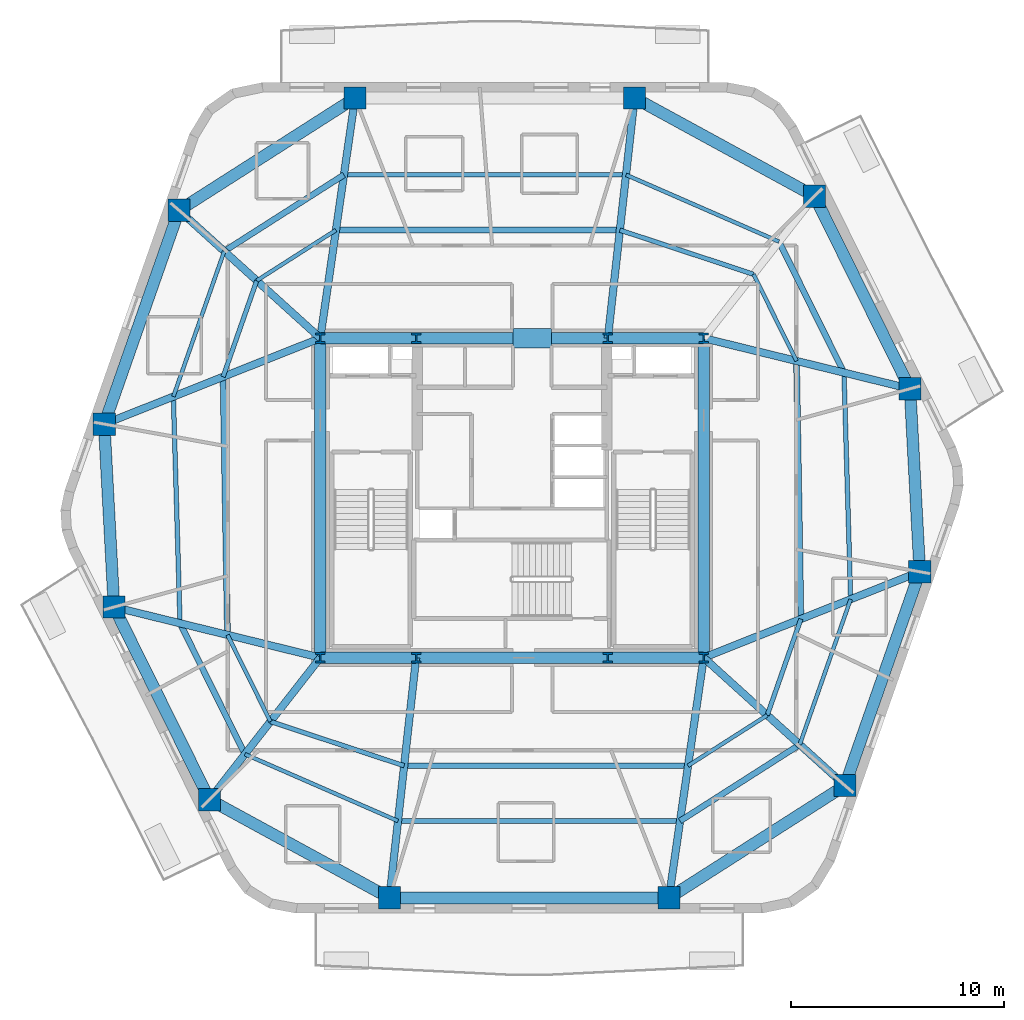
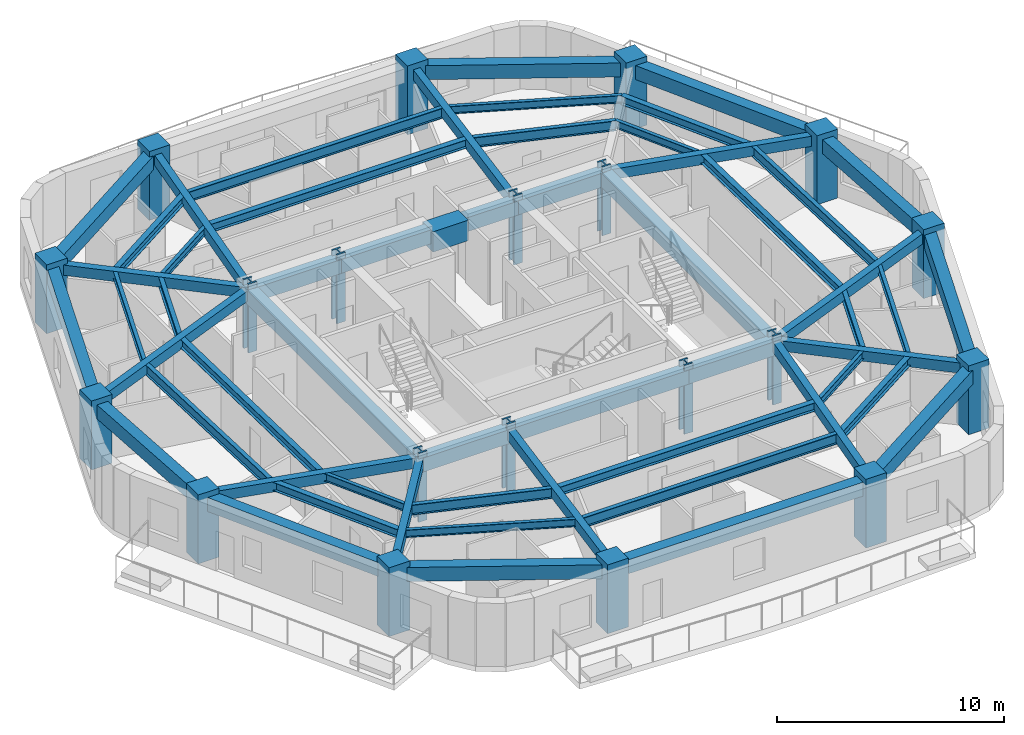
# One storey, part 1 of 10: 55 beams, 20 columns.
"""IFC4 building model written with IfcOpenShell, lengths in metres."""

from ifc_helpers import new_model, si_unit, direction, frame, origin, origin_2d, place, context, subcontext, project, spatial, rectangle, i_section, extrude, material, material_profile, profile_set, type_object, element, save


model = new_model("IFC4")

# Units and contexts
model_context = context("Model", 3, precision=1e-05, world=origin(), true_north=direction((0.0, 1.0)))
body_context = subcontext(model_context, "Body", "Model", "MODEL_VIEW")
ifc_project = project(units=[si_unit("LENGTHUNIT", "METRE"), si_unit("AREAUNIT", "SQUARE_METRE"), si_unit("VOLUMEUNIT", "CUBIC_METRE"), si_unit("PLANEANGLEUNIT", "RADIAN"), si_unit("MASSUNIT", "GRAM", prefix="KILO")], contexts=[model_context])

# Site, building, storey
site_placement = place(None, origin())
site = spatial("IfcSite", under=ifc_project, at=site_placement, CompositionType="ELEMENT")
building_placement = place(site_placement, origin())
building = spatial("IfcBuilding", under=site, at=building_placement, Name="Kilnhurst Terrace Hotel", CompositionType="ELEMENT")
storey_placement = place(building_placement, frame((0.0, 0.0, 151.699951171875)))
storey = spatial("IfcBuildingStorey", under=building, at=storey_placement, Name="L37", CompositionType="ELEMENT", Elevation=151.699951171875)

# Columns
ifc_material_1 = material(Name="Concrete C80/95", Category="concrete")
ifc_material_profile_1 = material_profile(ifc_material_1, rectangle(XDim=1.050048828125, YDim=1.050048828125, at=origin_2d()), Name="RC1050X1050")
ifc_profile_set_1 = profile_set([ifc_material_profile_1], Name="Concrete C80/95")
column_type_1 = type_object("IfcColumnType", Name="COL-RC-1050", PredefinedType="COLUMN", material=ifc_profile_set_1)
for number, where, z_axis, x_axis, name in (
    (1, (-5.7548828125, -18.780029296875, 0.0), (0.0, 0.0, 1.0), (1.0, 0.0, 0.0), "L37 Structural Column PC-F11"),
    (2, (7.368896484375, -18.780029296875, 0.0), (0.0, 0.0, 1.0), (1.0, 0.0, 0.0), "L37 Structural Column PC-F12"),
    (3, (15.633056640625, -13.5048828125, 0.0), (0.0, 0.0, 1.0), (1.0, 0.0, 0.0), "L37 Structural Column PC-F21"),
    (4, (19.14794921875, -3.467041015625, 0.0), (0.0, 0.0, 1.0), (1.0, 0.0, 0.0), "L37 Structural Column PC-F22"),
    (5, (18.68701171875, 5.1240234375, 0.0), (0.0, 0.0, 1.0), (1.0, 0.0, 0.0), "L37 Structural Column PC-F31"),
    (6, (14.2041015625, 14.166015625, 0.0), (0.0, 0.0, 1.0), (1.0, 0.0, 0.0), "L37 Structural Column PC-F32"),
    (7, (5.7548828125, 18.780029296875, 0.0), (0.0, 0.0, 1.0), (1.0, 0.0, 0.0), "L37 Structural Column PC-F41"),
    (8, (-7.368896484375, 18.780029296875, 0.0), (0.0, 0.0, 1.0), (1.0, 0.0, 0.0), "L37 Structural Column PC-F42"),
    (9, (-15.633056640625, 13.5048828125, 0.0), (0.0, 0.0, 1.0), (1.0, 0.0, 0.0), "L37 Structural Column PC-F51"),
    (10, (-19.14794921875, 3.467041015625, 0.0), (0.0, 0.0, 1.0), (1.0, 0.0, 0.0), "L37 Structural Column PC-F52"),
    (11, (-18.68701171875, -5.1240234375, 0.0), (0.0, 0.0, 1.0), (1.0, 0.0, 0.0), "L37 Structural Column PC-F61"),
    (12, (-14.2041015625, -14.166015625, 0.0), (0.0, 0.0, 1.0), (1.0, 0.0, 0.0), "L37 Structural Column PC-F62"),
):
    element("IfcColumn", number, at=place(storey_placement, frame(where, z_axis=z_axis, x_axis=x_axis)), inside=storey, type_object=column_type_1, Name=name, PredefinedType="COLUMN", context=body_context, shape_type="SweptSolid", body=[
        extrude(rectangle(XDim=1.050048828125, YDim=1.050048828125, at=origin_2d()), origin(), (0.0, 0.0, 1.0), 3.699951171875),
    ])
ifc_material_2 = material(Name="Steel ASTM A992 Grade 50", Category="steel")
ifc_material_profile_2 = material_profile(ifc_material_2, i_section(OverallWidth=0.43212890625, OverallDepth=0.497802734375, WebThickness=0.0556640625, FlangeThickness=0.0888671875, at=origin_2d()), Name="W14X500")
ifc_profile_set_2 = profile_set([ifc_material_profile_2], Name="Steel ASTM A992 Grade 50")
column_type_2 = type_object("IfcColumnType", Name="COL-STL-W14X500", PredefinedType="COLUMN", material=ifc_profile_set_2)
for number, where, z_axis, x_axis, name in (
    (13, (-9.0, -7.5, 0.0), (0.0, 0.0, 1.0), (1.0, 0.0, 0.0), "L37 Structural Column CC-SW"),
    (14, (-4.5, -7.5, 0.0), (0.0, 0.0, 1.0), (1.0, 0.0, 0.0), "L37 Structural Column CC-SC1"),
    (15, (4.5, -7.5, 0.0), (0.0, 0.0, 1.0), (1.0, 0.0, 0.0), "L37 Structural Column CC-SC2"),
    (16, (9.0, -7.5, 0.0), (0.0, 0.0, 1.0), (1.0, 0.0, 0.0), "L37 Structural Column CC-SE"),
    (17, (9.0, 7.5, 0.0), (0.0, 0.0, 1.0), (1.0, 0.0, 0.0), "L37 Structural Column CC-NE"),
    (18, (4.5, 7.5, 0.0), (0.0, 0.0, 1.0), (1.0, 0.0, 0.0), "L37 Structural Column CC-NC2"),
    (19, (-4.5, 7.5, 0.0), (0.0, 0.0, 1.0), (1.0, 0.0, 0.0), "L37 Structural Column CC-NC1"),
    (20, (-9.0, 7.5, 0.0), (0.0, 0.0, 1.0), (1.0, 0.0, 0.0), "L37 Structural Column CC-NW"),
):
    element("IfcColumn", number, at=place(storey_placement, frame(where, z_axis=z_axis, x_axis=x_axis)), inside=storey, type_object=column_type_2, Name=name, PredefinedType="COLUMN", context=body_context, shape_type="SweptSolid", body=[
        extrude(i_section(OverallWidth=0.43212890625, OverallDepth=0.497802734375, WebThickness=0.0556640625, FlangeThickness=0.0888671875, at=origin_2d()), origin(), (0.0, 0.0, 1.0), 3.699951171875),
    ])

# Beams
ifc_material_3 = material(Name="Concrete C50/60", Category="concrete")
ifc_material_profile_3 = material_profile(ifc_material_3, rectangle(XDim=0.35009765625, YDim=0.550048828125, at=origin_2d()), Name="RC350X550")
ifc_profile_set_3 = profile_set([ifc_material_profile_3], Name="Concrete C50/60")
beam_type_1 = type_object("IfcBeamType", Name="BM-RAD-350X550", PredefinedType="BEAM", material=ifc_profile_set_3)
beam_1_placement = place(storey_placement, frame((-4.5, -7.5, 3.125), z_axis=(-0.110566099441, -0.993868772854, 0.0), x_axis=(0.993868772854, -0.110566099441, 0.0)))
element("IfcBeam", 21, at=beam_1_placement, inside=storey, type_object=beam_type_1, Name="L37 Radial Floor Beam 1", PredefinedType="BEAM", context=body_context, shape_type="SweptSolid", body=[
    extrude(rectangle(XDim=0.35009765625, YDim=0.550048828125, at=origin_2d()), origin(), (0.0, 0.0, 1.0), 11.349609375),
])
beam_2_placement = place(storey_placement, frame((9.0, -7.5, 3.125), z_axis=(-0.143112538238, -0.989706421824, 0.0), x_axis=(0.989706421824, -0.143112538238, 0.0)))
element("IfcBeam", 22, at=beam_2_placement, inside=storey, type_object=beam_type_1, Name="L37 Radial Floor Beam 2", PredefinedType="BEAM", context=body_context, shape_type="SweptSolid", body=[
    extrude(rectangle(XDim=0.35009765625, YDim=0.550048828125, at=origin_2d()), origin(), (0.0, 0.0, 1.0), 11.3974609375),
])
beam_3_placement = place(storey_placement, frame((9.0, -7.5, 3.125), z_axis=(0.741338585645, -0.671131210296, 0.0), x_axis=(0.671131210296, 0.741338585645, 0.0)))
element("IfcBeam", 23, at=beam_3_placement, inside=storey, type_object=beam_type_1, Name="L37 Radial Floor Beam 3", PredefinedType="BEAM", context=body_context, shape_type="SweptSolid", body=[
    extrude(rectangle(XDim=0.35009765625, YDim=0.550048828125, at=origin_2d()), origin(), (0.0, 0.0, 1.0), 8.947509765625),
])
beam_4_placement = place(storey_placement, frame((9.0, -7.5, 3.125), z_axis=(0.929302373458, 0.369319778356, 0.0), x_axis=(-0.369319778356, 0.929302373458, 0.0)))
element("IfcBeam", 24, at=beam_4_placement, inside=storey, type_object=beam_type_1, Name="L37 Radial Floor Beam 4", PredefinedType="BEAM", context=body_context, shape_type="SweptSolid", body=[
    extrude(rectangle(XDim=0.35009765625, YDim=0.550048828125, at=origin_2d()), origin(), (0.0, 0.0, 1.0), 10.919921875),
])
beam_5_placement = place(storey_placement, frame((9.0, 7.5, 3.125), z_axis=(0.971212767405, -0.238213686486, 0.0), x_axis=(0.238213686486, 0.971212767405, 0.0)))
element("IfcBeam", 25, at=beam_5_placement, inside=storey, type_object=beam_type_1, Name="L37 Radial Floor Beam 5", PredefinedType="BEAM", context=body_context, shape_type="SweptSolid", body=[
    extrude(rectangle(XDim=0.35009765625, YDim=0.550048828125, at=origin_2d()), origin(), (0.0, 0.0, 1.0), 9.97412109375),
])
beam_6_placement = place(storey_placement, frame((4.5, 7.5, 3.125), z_axis=(0.110566099441, 0.993868772854, 0.0), x_axis=(-0.993868772854, 0.110566099441, 0.0)))
element("IfcBeam", 26, at=beam_6_placement, inside=storey, type_object=beam_type_1, Name="L37 Radial Floor Beam 7", PredefinedType="BEAM", context=body_context, shape_type="SweptSolid", body=[
    extrude(rectangle(XDim=0.35009765625, YDim=0.550048828125, at=origin_2d()), origin(), (0.0, 0.0, 1.0), 11.349609375),
])
beam_7_placement = place(storey_placement, frame((-9.0, 7.5, 3.125), z_axis=(0.143112538238, 0.989706421824, 0.0), x_axis=(-0.989706421824, 0.143112538238, 0.0)))
element("IfcBeam", 27, at=beam_7_placement, inside=storey, type_object=beam_type_1, Name="L37 Radial Floor Beam 8", PredefinedType="BEAM", context=body_context, shape_type="SweptSolid", body=[
    extrude(rectangle(XDim=0.35009765625, YDim=0.550048828125, at=origin_2d()), origin(), (0.0, 0.0, 1.0), 11.3974609375),
])
beam_8_placement = place(storey_placement, frame((-9.0, 7.5, 3.125), z_axis=(-0.741338585645, 0.671131210296, 0.0), x_axis=(-0.671131210296, -0.741338585645, 0.0)))
element("IfcBeam", 28, at=beam_8_placement, inside=storey, type_object=beam_type_1, Name="L37 Radial Floor Beam 9", PredefinedType="BEAM", context=body_context, shape_type="SweptSolid", body=[
    extrude(rectangle(XDim=0.35009765625, YDim=0.550048828125, at=origin_2d()), origin(), (0.0, 0.0, 1.0), 8.947509765625),
])
beam_9_placement = place(storey_placement, frame((-9.0, 7.5, 3.125), z_axis=(-0.929302373458, -0.369319778356, 0.0), x_axis=(0.369319778356, -0.929302373458, 0.0)))
element("IfcBeam", 29, at=beam_9_placement, inside=storey, type_object=beam_type_1, Name="L37 Radial Floor Beam 10", PredefinedType="BEAM", context=body_context, shape_type="SweptSolid", body=[
    extrude(rectangle(XDim=0.35009765625, YDim=0.550048828125, at=origin_2d()), origin(), (0.0, 0.0, 1.0), 10.919921875),
])
beam_10_placement = place(storey_placement, frame((-9.0, -7.5, 3.125), z_axis=(-0.971212767405, 0.238213686486, 0.0), x_axis=(-0.238213686486, -0.971212767405, 0.0)))
element("IfcBeam", 30, at=beam_10_placement, inside=storey, type_object=beam_type_1, Name="L37 Radial Floor Beam 11", PredefinedType="BEAM", context=body_context, shape_type="SweptSolid", body=[
    extrude(rectangle(XDim=0.35009765625, YDim=0.550048828125, at=origin_2d()), origin(), (0.0, 0.0, 1.0), 9.97412109375),
])
beam_11_placement = place(storey_placement, frame((-9.0, -7.5, 3.125), z_axis=(-0.615370616457, -0.78823791104, 0.0), x_axis=(0.78823791104, -0.615370616457, 0.0)))
element("IfcBeam", 31, at=beam_11_placement, inside=storey, type_object=beam_type_1, Name="L37 Radial Floor Beam 12", PredefinedType="BEAM", context=body_context, shape_type="SweptSolid", body=[
    extrude(rectangle(XDim=0.35009765625, YDim=0.550048828125, at=origin_2d()), origin(), (0.0, 0.0, 1.0), 8.456787109375),
])
ifc_material_profile_4 = material_profile(ifc_material_3, rectangle(XDim=0.550048828125, YDim=0.75, at=origin_2d()), Name="RC550X750")
ifc_profile_set_4 = profile_set([ifc_material_profile_4], Name="Concrete C50/60")
beam_type_2 = type_object("IfcBeamType", Name="BM-SPN-550X750", PredefinedType="SPANDREL", material=ifc_profile_set_4)
beam_12_placement = place(storey_placement, frame((-9.0, 7.5, 3.025146484375), z_axis=(1.0, 0.0, 0.0), x_axis=(0.0, 1.0, 0.0)))
element("IfcBeam", 32, at=beam_12_placement, inside=storey, type_object=beam_type_2, Name="L37 Core Tie Beam CC-NW to CC-NC1", PredefinedType="SPANDREL", context=body_context, shape_type="SweptSolid", body=[
    extrude(rectangle(XDim=0.550048828125, YDim=0.75, at=origin_2d()), origin(), (0.0, 0.0, 1.0), 4.5),
])
beam_13_placement = place(storey_placement, frame((-4.5, 7.5, 3.025146484375), z_axis=(1.0, 0.0, 0.0), x_axis=(0.0, 1.0, 0.0)))
element("IfcBeam", 33, at=beam_13_placement, inside=storey, type_object=beam_type_2, Name="L37 Core Tie Beam CC-NC1 to CC-NC2", PredefinedType="SPANDREL", context=body_context, shape_type="SweptSolid", body=[
    extrude(rectangle(XDim=0.550048828125, YDim=0.75, at=origin_2d()), origin(), (0.0, 0.0, 1.0), 9.0),
])
for number, where, z_axis, x_axis, name in (
    (34, (4.5, 7.5, 3.025146484375), (1.0, 0.0, 0.0), (0.0, 1.0, 0.0), "L37 Core Tie Beam CC-NC2 to CC-NE"),
    (35, (-9.0, -7.5, 3.025146484375), (1.0, 0.0, 0.0), (0.0, 1.0, 0.0), "L37 Core Tie Beam CC-SW to CC-SC1"),
):
    element("IfcBeam", number, at=place(storey_placement, frame(where, z_axis=z_axis, x_axis=x_axis)), inside=storey, type_object=beam_type_2, Name=name, PredefinedType="SPANDREL", context=body_context, shape_type="SweptSolid", body=[
        extrude(rectangle(XDim=0.550048828125, YDim=0.75, at=origin_2d()), origin(), (0.0, 0.0, 1.0), 4.5),
    ])
beam_14_placement = place(storey_placement, frame((-4.5, -7.5, 3.025146484375), z_axis=(1.0, 0.0, 0.0), x_axis=(0.0, 1.0, 0.0)))
element("IfcBeam", 36, at=beam_14_placement, inside=storey, type_object=beam_type_2, Name="L37 Core Tie Beam CC-SC1 to CC-SC2", PredefinedType="SPANDREL", context=body_context, shape_type="SweptSolid", body=[
    extrude(rectangle(XDim=0.550048828125, YDim=0.75, at=origin_2d()), origin(), (0.0, 0.0, 1.0), 9.0),
])
beam_15_placement = place(storey_placement, frame((4.5, -7.5, 3.025146484375), z_axis=(1.0, 0.0, 0.0), x_axis=(0.0, 1.0, 0.0)))
element("IfcBeam", 37, at=beam_15_placement, inside=storey, type_object=beam_type_2, Name="L37 Core Tie Beam CC-SC2 to CC-SE", PredefinedType="SPANDREL", context=body_context, shape_type="SweptSolid", body=[
    extrude(rectangle(XDim=0.550048828125, YDim=0.75, at=origin_2d()), origin(), (0.0, 0.0, 1.0), 4.5),
])
for number, where, z_axis, x_axis, name in (
    (38, (-9.0, -7.5, 3.025146484375), (0.0, 1.0, 0.0), (-1.0, 0.0, 0.0), "L37 Core Tie Beam CC-SW to CC-NW"),
    (39, (9.0, -7.5, 3.025146484375), (0.0, 1.0, 0.0), (-1.0, 0.0, 0.0), "L37 Core Tie Beam CC-SE to CC-NE"),
):
    element("IfcBeam", number, at=place(storey_placement, frame(where, z_axis=z_axis, x_axis=x_axis)), inside=storey, type_object=beam_type_2, Name=name, PredefinedType="SPANDREL", context=body_context, shape_type="SweptSolid", body=[
        extrude(rectangle(XDim=0.550048828125, YDim=0.75, at=origin_2d()), origin(), (0.0, 0.0, 1.0), 15.0),
    ])
beam_16_placement = place(storey_placement, frame((-5.7548828125, -18.780029296875, 3.025146484375), z_axis=(1.0, 0.0, 0.0), x_axis=(0.0, 1.0, 0.0)))
element("IfcBeam", 40, at=beam_16_placement, inside=storey, type_object=beam_type_2, Name="L37 Perimeter Spandrel Beam 1", PredefinedType="SPANDREL", context=body_context, shape_type="SweptSolid", body=[
    extrude(rectangle(XDim=0.550048828125, YDim=0.75, at=origin_2d()), origin(), (0.0, 0.0, 1.0), 13.123779296875),
])
beam_17_placement = place(storey_placement, frame((7.368896484375, -18.780029296875, 3.025146484375), z_axis=(0.842915241256, 0.538046369803, 0.0), x_axis=(-0.538046369803, 0.842915241256, 0.0)))
element("IfcBeam", 41, at=beam_17_placement, inside=storey, type_object=beam_type_2, Name="L37 Perimeter Spandrel Beam 2", PredefinedType="SPANDREL", context=body_context, shape_type="SweptSolid", body=[
    extrude(rectangle(XDim=0.550048828125, YDim=0.75, at=origin_2d()), origin(), (0.0, 0.0, 1.0), 9.80419921875),
])
beam_18_placement = place(storey_placement, frame((15.633056640625, -13.5048828125, 3.025146484375), z_axis=(0.330488460168, 0.943810032632, 0.0), x_axis=(-0.943810032632, 0.330488460168, 0.0)))
element("IfcBeam", 42, at=beam_18_placement, inside=storey, type_object=beam_type_2, Name="L37 Perimeter Spandrel Beam 3", PredefinedType="SPANDREL", context=body_context, shape_type="SweptSolid", body=[
    extrude(rectangle(XDim=0.550048828125, YDim=0.75, at=origin_2d()), origin(), (0.0, 0.0, 1.0), 10.635498046875),
])
beam_19_placement = place(storey_placement, frame((19.14794921875, -3.467041015625, 3.025146484375), z_axis=(-0.053576072051, 0.998563770875, 0.0), x_axis=(-0.998563770875, -0.053576072051, 0.0)))
element("IfcBeam", 43, at=beam_19_placement, inside=storey, type_object=beam_type_2, Name="L37 Perimeter Spandrel Beam 4", PredefinedType="SPANDREL", context=body_context, shape_type="SweptSolid", body=[
    extrude(rectangle(XDim=0.550048828125, YDim=0.75, at=origin_2d()), origin(), (0.0, 0.0, 1.0), 8.603515625),
])
beam_20_placement = place(storey_placement, frame((18.68701171875, 5.1240234375, 3.025146484375), z_axis=(-0.444192032261, 0.895931603682, 0.0), x_axis=(-0.895931603682, -0.444192032261, 0.0)))
element("IfcBeam", 44, at=beam_20_placement, inside=storey, type_object=beam_type_2, Name="L37 Perimeter Spandrel Beam 5", PredefinedType="SPANDREL", context=body_context, shape_type="SweptSolid", body=[
    extrude(rectangle(XDim=0.550048828125, YDim=0.75, at=origin_2d()), origin(), (0.0, 0.0, 1.0), 10.09228515625),
])
beam_21_placement = place(storey_placement, frame((14.2041015625, 14.166015625, 3.025146484375), z_axis=(-0.87766189723, 0.479280287672, 0.0), x_axis=(-0.479280287672, -0.87766189723, 0.0)))
element("IfcBeam", 45, at=beam_21_placement, inside=storey, type_object=beam_type_2, Name="L37 Perimeter Spandrel Beam 6", PredefinedType="SPANDREL", context=body_context, shape_type="SweptSolid", body=[
    extrude(rectangle(XDim=0.550048828125, YDim=0.75, at=origin_2d()), origin(), (0.0, 0.0, 1.0), 9.626953125),
])
beam_22_placement = place(storey_placement, frame((-7.368896484375, 18.780029296875, 3.025146484375), z_axis=(-0.842915241256, -0.538046369803, 0.0), x_axis=(0.538046369803, -0.842915241256, 0.0)))
element("IfcBeam", 46, at=beam_22_placement, inside=storey, type_object=beam_type_2, Name="L37 Perimeter Spandrel Beam 8", PredefinedType="SPANDREL", context=body_context, shape_type="SweptSolid", body=[
    extrude(rectangle(XDim=0.550048828125, YDim=0.75, at=origin_2d()), origin(), (0.0, 0.0, 1.0), 9.80419921875),
])
beam_23_placement = place(storey_placement, frame((-15.633056640625, 13.5048828125, 3.025146484375), z_axis=(-0.330488460168, -0.943810032632, 0.0), x_axis=(0.943810032632, -0.330488460168, 0.0)))
element("IfcBeam", 47, at=beam_23_placement, inside=storey, type_object=beam_type_2, Name="L37 Perimeter Spandrel Beam 9", PredefinedType="SPANDREL", context=body_context, shape_type="SweptSolid", body=[
    extrude(rectangle(XDim=0.550048828125, YDim=0.75, at=origin_2d()), origin(), (0.0, 0.0, 1.0), 10.635498046875),
])
beam_24_placement = place(storey_placement, frame((-19.14794921875, 3.467041015625, 3.025146484375), z_axis=(0.053576072051, -0.998563770875, 0.0), x_axis=(0.998563770875, 0.053576072051, 0.0)))
element("IfcBeam", 48, at=beam_24_placement, inside=storey, type_object=beam_type_2, Name="L37 Perimeter Spandrel Beam 10", PredefinedType="SPANDREL", context=body_context, shape_type="SweptSolid", body=[
    extrude(rectangle(XDim=0.550048828125, YDim=0.75, at=origin_2d()), origin(), (0.0, 0.0, 1.0), 8.603515625),
])
beam_25_placement = place(storey_placement, frame((-18.68701171875, -5.1240234375, 3.025146484375), z_axis=(0.444192032261, -0.895931603682, 0.0), x_axis=(0.895931603682, 0.444192032261, 0.0)))
element("IfcBeam", 49, at=beam_25_placement, inside=storey, type_object=beam_type_2, Name="L37 Perimeter Spandrel Beam 11", PredefinedType="SPANDREL", context=body_context, shape_type="SweptSolid", body=[
    extrude(rectangle(XDim=0.550048828125, YDim=0.75, at=origin_2d()), origin(), (0.0, 0.0, 1.0), 10.09228515625),
])
beam_26_placement = place(storey_placement, frame((-14.2041015625, -14.166015625, 3.025146484375), z_axis=(0.87766189723, -0.479280287672, 0.0), x_axis=(0.479280287672, 0.87766189723, 0.0)))
element("IfcBeam", 50, at=beam_26_placement, inside=storey, type_object=beam_type_2, Name="L37 Perimeter Spandrel Beam 12", PredefinedType="SPANDREL", context=body_context, shape_type="SweptSolid", body=[
    extrude(rectangle(XDim=0.550048828125, YDim=0.75, at=origin_2d()), origin(), (0.0, 0.0, 1.0), 9.626953125),
])
ifc_material_profile_5 = material_profile(ifc_material_2, i_section(OverallWidth=0.180908203125, OverallDepth=0.417236328125, WebThickness=0.010986328125, FlangeThickness=0.018310546875, at=origin_2d()), Name="W16X57")
ifc_profile_set_5 = profile_set([ifc_material_profile_5], Name="Steel ASTM A992 Grade 50")
beam_type_3 = type_object("IfcBeamType", Name="JST-STL-W16X57", PredefinedType="JOIST", material=ifc_profile_set_5)
beam_27_placement = place(storey_placement, frame((13.510498046875, -11.58349609375, 3.191162109375), z_axis=(0.330481239411, 0.943812561051, 0.0), x_axis=(-0.943812561051, 0.330481239411, 0.0)))
element("IfcBeam", 51, at=beam_27_placement, inside=storey, type_object=beam_type_3, Name="L37 Secondary Floor Steel Joist OUT.3", PredefinedType="JOIST", context=body_context, shape_type="SweptSolid", body=[
    extrude(i_section(OverallWidth=0.180908203125, OverallDepth=0.417236328125, WebThickness=0.010986328125, FlangeThickness=0.018310546875, at=origin_2d()), origin(), (0.0, 0.0, 1.0), 7.232177734375),
])
beam_28_placement = place(storey_placement, frame((12.538818359375, 12.032958984375, 3.191162109375), z_axis=(-0.916443679054, 0.400163695407, 0.0), x_axis=(-0.400163695407, -0.916443679054, 0.0)))
element("IfcBeam", 52, at=beam_28_placement, inside=storey, type_object=beam_type_3, Name="L37 Secondary Floor Steel Joist OUT.6", PredefinedType="JOIST", context=body_context, shape_type="SweptSolid", body=[
    extrude(i_section(OverallWidth=0.180908203125, OverallDepth=0.417236328125, WebThickness=0.010986328125, FlangeThickness=0.018310546875, at=origin_2d()), origin(), (0.0, 0.0, 1.0), 7.84033203125),
])
beam_29_placement = place(storey_placement, frame((-13.510498046875, 11.58349609375, 3.191162109375), z_axis=(-0.330481239411, -0.943812561051, 0.0), x_axis=(0.943812561051, -0.330481239411, 0.0)))
element("IfcBeam", 53, at=beam_29_placement, inside=storey, type_object=beam_type_3, Name="L37 Secondary Floor Steel Joist OUT.9", PredefinedType="JOIST", context=body_context, shape_type="SweptSolid", body=[
    extrude(i_section(OverallWidth=0.180908203125, OverallDepth=0.417236328125, WebThickness=0.010986328125, FlangeThickness=0.018310546875, at=origin_2d()), origin(), (0.0, 0.0, 1.0), 7.232177734375),
])
beam_30_placement = place(storey_placement, frame((-12.538818359375, -12.032958984375, 3.191162109375), z_axis=(0.916443679054, -0.400163695407, 0.0), x_axis=(0.400163695407, 0.916443679054, 0.0)))
element("IfcBeam", 54, at=beam_30_placement, inside=storey, type_object=beam_type_3, Name="L37 Secondary Floor Steel Joist OUT.12", PredefinedType="JOIST", context=body_context, shape_type="SweptSolid", body=[
    extrude(i_section(OverallWidth=0.180908203125, OverallDepth=0.417236328125, WebThickness=0.010986328125, FlangeThickness=0.018310546875, at=origin_2d()), origin(), (0.0, 0.0, 1.0), 7.84033203125),
])
beam_31_placement = place(storey_placement, frame((8.26611328125, -12.575927734375, 3.191162109375), z_axis=(0.842910995806, 0.53805302076, 0.0), x_axis=(-0.53805302076, 0.842910995806, 0.0)))
element("IfcBeam", 55, at=beam_31_placement, inside=storey, type_object=beam_type_3, Name="L37 Secondary Floor Steel Joist IN.2", PredefinedType="JOIST", context=body_context, shape_type="SweptSolid", body=[
    extrude(i_section(OverallWidth=0.180908203125, OverallDepth=0.417236328125, WebThickness=0.010986328125, FlangeThickness=0.018310546875, at=origin_2d()), origin(), (0.0, 0.0, 1.0), 4.411865234375),
])
beam_32_placement = place(storey_placement, frame((13.359130859375, 6.430908203125, 3.191162109375), z_axis=(-0.444200626094, 0.895927342912, 0.0), x_axis=(-0.895927342912, -0.444200626094, 0.0)))
element("IfcBeam", 56, at=beam_32_placement, inside=storey, type_object=beam_type_3, Name="L37 Secondary Floor Steel Joist IN.5", PredefinedType="JOIST", context=body_context, shape_type="SweptSolid", body=[
    extrude(i_section(OverallWidth=0.180908203125, OverallDepth=0.417236328125, WebThickness=0.010986328125, FlangeThickness=0.018310546875, at=origin_2d()), origin(), (0.0, 0.0, 1.0), 4.54150390625),
])
beam_33_placement = place(storey_placement, frame((-8.26611328125, 12.575927734375, 3.191162109375), z_axis=(-0.842910995806, -0.53805302076, 0.0), x_axis=(0.53805302076, -0.842910995806, 0.0)))
element("IfcBeam", 57, at=beam_33_placement, inside=storey, type_object=beam_type_3, Name="L37 Secondary Floor Steel Joist IN.8", PredefinedType="JOIST", context=body_context, shape_type="SweptSolid", body=[
    extrude(i_section(OverallWidth=0.180908203125, OverallDepth=0.417236328125, WebThickness=0.010986328125, FlangeThickness=0.018310546875, at=origin_2d()), origin(), (0.0, 0.0, 1.0), 4.411865234375),
])
beam_34_placement = place(storey_placement, frame((-13.359130859375, -6.430908203125, 3.191162109375), z_axis=(0.444200626094, -0.895927342912, 0.0), x_axis=(0.895927342912, 0.444200626094, 0.0)))
element("IfcBeam", 58, at=beam_34_placement, inside=storey, type_object=beam_type_3, Name="L37 Secondary Floor Steel Joist IN.11", PredefinedType="JOIST", context=body_context, shape_type="SweptSolid", body=[
    extrude(i_section(OverallWidth=0.180908203125, OverallDepth=0.417236328125, WebThickness=0.010986328125, FlangeThickness=0.018310546875, at=origin_2d()), origin(), (0.0, 0.0, 1.0), 4.54150390625),
])
ifc_material_profile_6 = material_profile(ifc_material_2, i_section(OverallWidth=0.279296875, OverallDepth=0.462890625, WebThickness=0.0107421875, FlangeThickness=0.017333984375, at=origin_2d()), Name="W18X76")
ifc_profile_set_6 = profile_set([ifc_material_profile_6], Name="Steel ASTM A992 Grade 50")
beam_type_4 = type_object("IfcBeamType", Name="JST-STL-W18X76", PredefinedType="JOIST", material=ifc_profile_set_6)
beam_35_placement = place(storey_placement, frame((7.890869140625, -15.17041015625, 3.16796875), z_axis=(0.842927863369, 0.538026595213, 0.0), x_axis=(-0.538026595213, 0.842927863369, 0.0)))
element("IfcBeam", 59, at=beam_35_placement, inside=storey, type_object=beam_type_4, Name="L37 Secondary Floor Steel Joist OUT.2", PredefinedType="JOIST", context=body_context, shape_type="SweptSolid", body=[
    extrude(i_section(OverallWidth=0.279296875, OverallDepth=0.462890625, WebThickness=0.0107421875, FlangeThickness=0.017333984375, at=origin_2d()), origin(), (0.0, 0.0, 1.0), 6.666748046875),
])
beam_36_placement = place(storey_placement, frame((15.587158203125, 5.88427734375, 3.16796875), z_axis=(-0.444180101574, 0.895937518673, 0.0), x_axis=(-0.895937518673, -0.444180101574, 0.0)))
element("IfcBeam", 60, at=beam_36_placement, inside=storey, type_object=beam_type_4, Name="L37 Secondary Floor Steel Joist OUT.5", PredefinedType="JOIST", context=body_context, shape_type="SweptSolid", body=[
    extrude(i_section(OverallWidth=0.279296875, OverallDepth=0.462890625, WebThickness=0.0107421875, FlangeThickness=0.017333984375, at=origin_2d()), origin(), (0.0, 0.0, 1.0), 6.86279296875),
])
beam_37_placement = place(storey_placement, frame((-7.890869140625, 15.17041015625, 3.16796875), z_axis=(-0.842927863369, -0.538026595213, 0.0), x_axis=(0.538026595213, -0.842927863369, 0.0)))
element("IfcBeam", 61, at=beam_37_placement, inside=storey, type_object=beam_type_4, Name="L37 Secondary Floor Steel Joist OUT.8", PredefinedType="JOIST", context=body_context, shape_type="SweptSolid", body=[
    extrude(i_section(OverallWidth=0.279296875, OverallDepth=0.462890625, WebThickness=0.0107421875, FlangeThickness=0.017333984375, at=origin_2d()), origin(), (0.0, 0.0, 1.0), 6.666748046875),
])
beam_38_placement = place(storey_placement, frame((-15.587158203125, -5.88427734375, 3.16796875), z_axis=(0.444180101574, -0.895937518673, 0.0), x_axis=(0.895937518673, 0.444180101574, 0.0)))
element("IfcBeam", 62, at=beam_38_placement, inside=storey, type_object=beam_type_4, Name="L37 Secondary Floor Steel Joist OUT.11", PredefinedType="JOIST", context=body_context, shape_type="SweptSolid", body=[
    extrude(i_section(OverallWidth=0.279296875, OverallDepth=0.462890625, WebThickness=0.0107421875, FlangeThickness=0.017333984375, at=origin_2d()), origin(), (0.0, 0.0, 1.0), 6.86279296875),
])
beam_39_placement = place(storey_placement, frame((-5.064697265625, -12.575927734375, 3.16796875), z_axis=(1.0, 0.0, 0.0), x_axis=(0.0, 1.0, 0.0)))
element("IfcBeam", 63, at=beam_39_placement, inside=storey, type_object=beam_type_4, Name="L37 Secondary Floor Steel Joist IN.1", PredefinedType="JOIST", context=body_context, shape_type="SweptSolid", body=[
    extrude(i_section(OverallWidth=0.279296875, OverallDepth=0.462890625, WebThickness=0.0107421875, FlangeThickness=0.017333984375, at=origin_2d()), origin(), (0.0, 0.0, 1.0), 13.330810546875),
])
beam_40_placement = place(storey_placement, frame((13.566650390625, -5.685302734375, 3.16796875), z_axis=(-0.017124916462, 0.999853357866, 0.0), x_axis=(-0.999853357866, -0.017124916462, 0.0)))
element("IfcBeam", 64, at=beam_40_placement, inside=storey, type_object=beam_type_4, Name="L37 Secondary Floor Steel Joist IN.4", PredefinedType="JOIST", context=body_context, shape_type="SweptSolid", body=[
    extrude(i_section(OverallWidth=0.279296875, OverallDepth=0.462890625, WebThickness=0.0107421875, FlangeThickness=0.017333984375, at=origin_2d()), origin(), (0.0, 0.0, 1.0), 12.117919921875),
])
beam_41_placement = place(storey_placement, frame((5.064697265625, 12.575927734375, 3.16796875), z_axis=(-1.0, 0.0, 0.0), x_axis=(0.0, -1.0, 0.0)))
element("IfcBeam", 65, at=beam_41_placement, inside=storey, type_object=beam_type_4, Name="L37 Secondary Floor Steel Joist IN.7", PredefinedType="JOIST", context=body_context, shape_type="SweptSolid", body=[
    extrude(i_section(OverallWidth=0.279296875, OverallDepth=0.462890625, WebThickness=0.0107421875, FlangeThickness=0.017333984375, at=origin_2d()), origin(), (0.0, 0.0, 1.0), 13.330810546875),
])
beam_42_placement = place(storey_placement, frame((-13.566650390625, 5.685302734375, 3.16796875), z_axis=(0.017124916462, -0.999853357866, 0.0), x_axis=(0.999853357866, 0.017124916462, 0.0)))
element("IfcBeam", 66, at=beam_42_placement, inside=storey, type_object=beam_type_4, Name="L37 Secondary Floor Steel Joist IN.10", PredefinedType="JOIST", context=body_context, shape_type="SweptSolid", body=[
    extrude(i_section(OverallWidth=0.279296875, OverallDepth=0.462890625, WebThickness=0.0107421875, FlangeThickness=0.017333984375, at=origin_2d()), origin(), (0.0, 0.0, 1.0), 12.117919921875),
])
ifc_material_profile_7 = material_profile(ifc_material_2, i_section(OverallWidth=0.2138671875, OverallDepth=0.549072265625, WebThickness=0.0146484375, FlangeThickness=0.023681640625, at=origin_2d()), Name="W21X93")
ifc_profile_set_7 = profile_set([ifc_material_profile_7], Name="Steel ASTM A992 Grade 50")
beam_type_5 = type_object("IfcBeamType", Name="JST-STL-W21X93", PredefinedType="JOIST", material=ifc_profile_set_7)
beam_43_placement = place(storey_placement, frame((-5.353515625, -15.17041015625, 3.125), z_axis=(1.0, 0.0, 0.0), x_axis=(0.0, 1.0, 0.0)))
element("IfcBeam", 67, at=beam_43_placement, inside=storey, type_object=beam_type_5, Name="L37 Secondary Floor Steel Joist OUT.1", PredefinedType="JOIST", context=body_context, shape_type="SweptSolid", body=[
    extrude(i_section(OverallWidth=0.2138671875, OverallDepth=0.549072265625, WebThickness=0.0146484375, FlangeThickness=0.023681640625, at=origin_2d()), origin(), (0.0, 0.0, 1.0), 13.244384765625),
])
beam_44_placement = place(storey_placement, frame((15.900634765625, -4.757568359375, 3.125), z_axis=(-0.029444201298, 0.999566425512, 0.0), x_axis=(-0.999566425512, -0.029444201298, 0.0)))
element("IfcBeam", 68, at=beam_44_placement, inside=storey, type_object=beam_type_5, Name="L37 Secondary Floor Steel Joist OUT.4", PredefinedType="JOIST", context=body_context, shape_type="SweptSolid", body=[
    extrude(i_section(OverallWidth=0.2138671875, OverallDepth=0.549072265625, WebThickness=0.0146484375, FlangeThickness=0.023681640625, at=origin_2d()), origin(), (0.0, 0.0, 1.0), 10.646484375),
])
beam_45_placement = place(storey_placement, frame((5.353515625, 15.17041015625, 3.125), z_axis=(-1.0, 0.0, 0.0), x_axis=(0.0, -1.0, 0.0)))
element("IfcBeam", 69, at=beam_45_placement, inside=storey, type_object=beam_type_5, Name="L37 Secondary Floor Steel Joist OUT.7", PredefinedType="JOIST", context=body_context, shape_type="SweptSolid", body=[
    extrude(i_section(OverallWidth=0.2138671875, OverallDepth=0.549072265625, WebThickness=0.0146484375, FlangeThickness=0.023681640625, at=origin_2d()), origin(), (0.0, 0.0, 1.0), 13.244384765625),
])
beam_46_placement = place(storey_placement, frame((-15.900634765625, 4.757568359375, 3.125), z_axis=(0.029444201298, -0.999566425512, 0.0), x_axis=(0.999566425512, 0.029444201298, 0.0)))
element("IfcBeam", 70, at=beam_46_placement, inside=storey, type_object=beam_type_5, Name="L37 Secondary Floor Steel Joist OUT.10", PredefinedType="JOIST", context=body_context, shape_type="SweptSolid", body=[
    extrude(i_section(OverallWidth=0.2138671875, OverallDepth=0.549072265625, WebThickness=0.0146484375, FlangeThickness=0.023681640625, at=origin_2d()), origin(), (0.0, 0.0, 1.0), 10.646484375),
])
beam_47_placement = place(storey_placement, frame((11.98486328125, -10.2021484375, 3.125), z_axis=(0.330516298629, 0.943800284139, 0.0), x_axis=(-0.943800284139, 0.330516298629, 0.0)))
element("IfcBeam", 71, at=beam_47_placement, inside=storey, type_object=beam_type_5, Name="L37 Secondary Floor Steel Joist IN.3", PredefinedType="JOIST", context=body_context, shape_type="SweptSolid", body=[
    extrude(i_section(OverallWidth=0.2138671875, OverallDepth=0.549072265625, WebThickness=0.0146484375, FlangeThickness=0.023681640625, at=origin_2d()), origin(), (0.0, 0.0, 1.0), 4.785888671875),
])
beam_48_placement = place(storey_placement, frame((11.341796875, 10.499755859375, 3.125), z_axis=(-0.949415572736, 0.314022404051, 0.0), x_axis=(-0.314022404051, -0.949415572736, 0.0)))
element("IfcBeam", 72, at=beam_48_placement, inside=storey, type_object=beam_type_5, Name="L37 Secondary Floor Steel Joist IN.6", PredefinedType="JOIST", context=body_context, shape_type="SweptSolid", body=[
    extrude(i_section(OverallWidth=0.2138671875, OverallDepth=0.549072265625, WebThickness=0.0146484375, FlangeThickness=0.023681640625, at=origin_2d()), origin(), (0.0, 0.0, 1.0), 6.611572265625),
])
beam_49_placement = place(storey_placement, frame((-11.98486328125, 10.2021484375, 3.125), z_axis=(-0.330516298629, -0.943800284139, 0.0), x_axis=(0.943800284139, -0.330516298629, 0.0)))
element("IfcBeam", 73, at=beam_49_placement, inside=storey, type_object=beam_type_5, Name="L37 Secondary Floor Steel Joist IN.9", PredefinedType="JOIST", context=body_context, shape_type="SweptSolid", body=[
    extrude(i_section(OverallWidth=0.2138671875, OverallDepth=0.549072265625, WebThickness=0.0146484375, FlangeThickness=0.023681640625, at=origin_2d()), origin(), (0.0, 0.0, 1.0), 4.785888671875),
])
beam_50_placement = place(storey_placement, frame((-11.341796875, -10.499755859375, 3.125), z_axis=(0.949415572736, -0.314022404051, 0.0), x_axis=(0.314022404051, 0.949415572736, 0.0)))
element("IfcBeam", 74, at=beam_50_placement, inside=storey, type_object=beam_type_5, Name="L37 Secondary Floor Steel Joist IN.12", PredefinedType="JOIST", context=body_context, shape_type="SweptSolid", body=[
    extrude(i_section(OverallWidth=0.2138671875, OverallDepth=0.549072265625, WebThickness=0.0146484375, FlangeThickness=0.023681640625, at=origin_2d()), origin(), (0.0, 0.0, 1.0), 6.611572265625),
])
ifc_material_profile_8 = material_profile(ifc_material_1, rectangle(XDim=0.89990234375, YDim=1.10009765625, at=origin_2d()), Name="RC900X1100")
ifc_profile_set_8 = profile_set([ifc_material_profile_8], Name="Concrete C80/95")
beam_type_6 = type_object("IfcBeamType", Name="LNT-CB-900X1100", PredefinedType="LINTEL", material=ifc_profile_set_8)
beam_51_placement = place(storey_placement, frame((0.050048828125, 7.5, 2.85009765625), z_axis=(1.0, 0.0, 0.0), x_axis=(0.0, 1.0, 0.0)))
element("IfcBeam", 75, at=beam_51_placement, inside=storey, type_object=beam_type_6, Name="L37 North Core Coupling Link Beam", PredefinedType="LINTEL", context=body_context, shape_type="SweptSolid", body=[
    extrude(rectangle(XDim=0.89990234375, YDim=1.10009765625, at=origin_2d()), origin(), (0.0, 0.0, 1.0), 1.800048828125),
])

save(model, "model.ifc")
